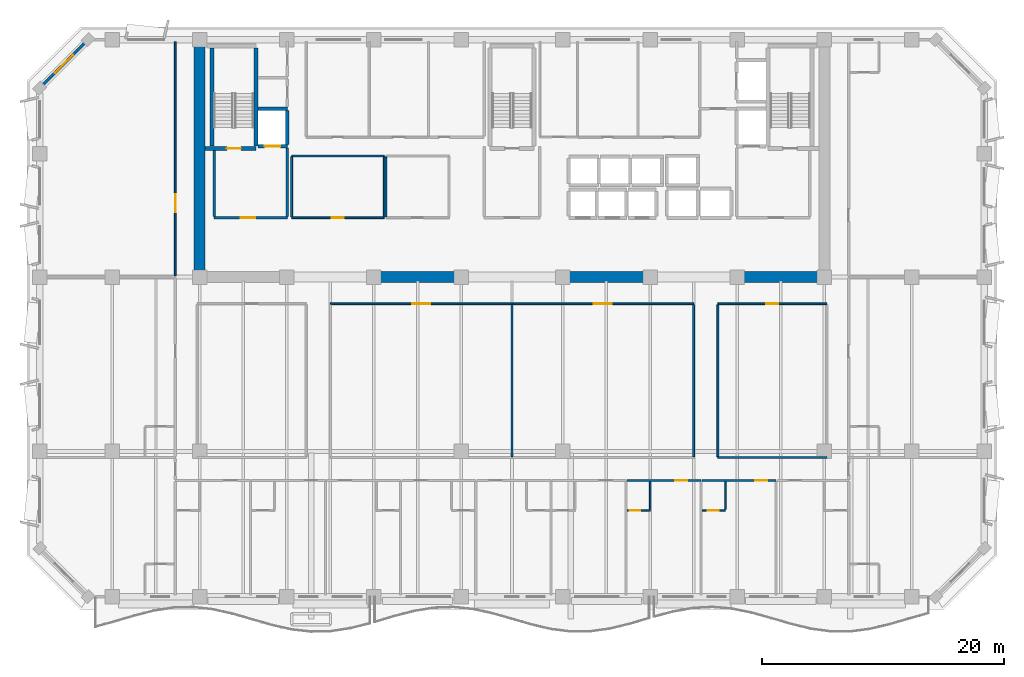
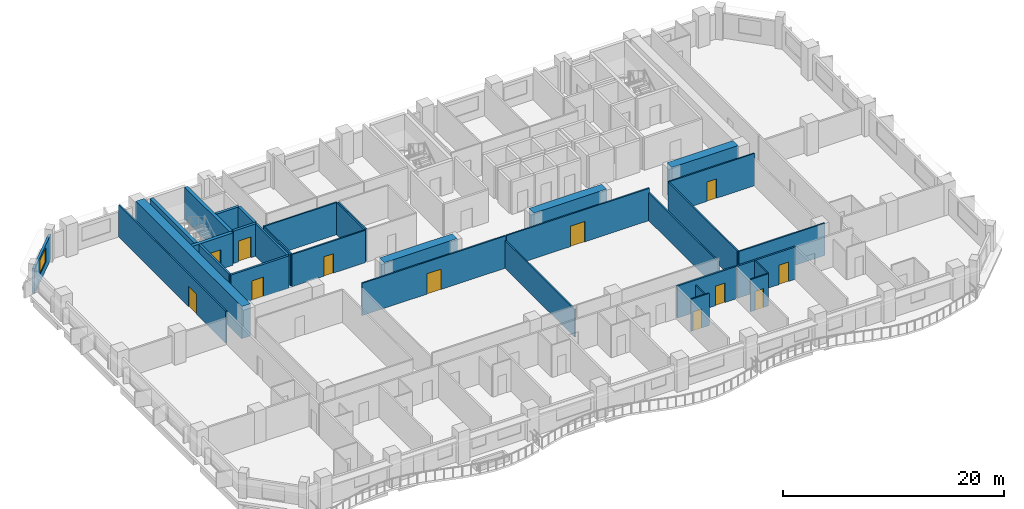
# One storey, part 6 of 15: 33 walls, 12 doors, 1 window, 13 openings.
"""IFC4 building model written with IfcOpenShell, lengths in metres."""

from ifc_helpers import new_model, si_unit, direction, frame, frame_2d, origin, place, context, subcontext, project, spatial, rectangle, extrude, material, layer, layer_set, type_object, element, fill, save


model = new_model("IFC4")

# Units and contexts
model_context = context("Model", 3, precision=1e-05, world=origin(), true_north=direction((0.0, 1.0)))
body_context = subcontext(model_context, "Body", "Model", "MODEL_VIEW")
ifc_project = project(units=[si_unit("LENGTHUNIT", "METRE"), si_unit("AREAUNIT", "SQUARE_METRE"), si_unit("VOLUMEUNIT", "CUBIC_METRE"), si_unit("PLANEANGLEUNIT", "RADIAN"), si_unit("MASSUNIT", "GRAM", prefix="KILO")], contexts=[model_context])

# Site, building, storey
site_placement = place(None, origin())
site = spatial("IfcSite", under=ifc_project, at=site_placement, CompositionType="ELEMENT")
building_placement = place(site_placement, origin())
building = spatial("IfcBuilding", under=site, at=building_placement, Name="Kaelvorn Grand Hotel", CompositionType="ELEMENT")
storey_placement = place(building_placement, frame((0.0, 0.0, 154.35009765625)))
storey = spatial("IfcBuildingStorey", under=building, at=storey_placement, Name="L37", CompositionType="ELEMENT", Elevation=154.35009765625)

# Walls
ifc_material_1 = material(Name="Concrete C60/75", Category="concrete")
ifc_layer_1 = layer(ifc_material_1, 0.89990234375)
ifc_layer_set_1 = layer_set([ifc_layer_1], Name="Concrete C60/75")
wall_type_1 = type_object("IfcWallType", Name="WL-CORE-900-C60", PredefinedType="SHEAR", material=ifc_layer_set_1)
wall_1_placement = place(storey_placement, frame((16.199951171875, 29.39990234375, 0.0), z_axis=(0.0, 0.0, 1.0), x_axis=(0.0, 1.0, 0.0)))
element("IfcWall", 1, at=wall_1_placement, inside=storey, type_object=wall_type_1, Name="L37 Rear-Core West Shear Wall", PredefinedType="SHEAR", context=body_context, shape_type="SweptSolid", body=[
    extrude(rectangle(XDim=19.2001953125, YDim=0.89990234375, at=frame_2d((9.60009765625, 0.0))), origin(), (0.0, 0.0, 1.0), 3.559814453125),
])
for number, where, z_axis, x_axis, name in (
    (2, (30.39990234375, 29.39990234375, 0.0), (0.0, 0.0, 1.0), (1.0, 0.0, 0.0), "L37 Rear-Core Coupled Shear Pier S2"),
    (3, (46.0, 29.39990234375, 0.0), (0.0, 0.0, 1.0), (1.0, 0.0, 0.0), "L37 Rear-Core Coupled Shear Pier S3"),
):
    element("IfcWall", number, at=place(storey_placement, frame(where, z_axis=z_axis, x_axis=x_axis)), inside=storey, type_object=wall_type_1, Name=name, PredefinedType="SHEAR", context=body_context, shape_type="SweptSolid", body=[
        extrude(rectangle(XDim=7.60009765625, YDim=0.89990234375, at=frame_2d((3.800048828125, 0.0))), origin(), (0.0, 0.0, 1.0), 3.559814453125),
    ])
wall_2_placement = place(storey_placement, frame((60.39990234375, 29.39990234375, 0.0), z_axis=(0.0, 0.0, 1.0), x_axis=(1.0, 0.0, 0.0)))
element("IfcWall", 4, at=wall_2_placement, inside=storey, type_object=wall_type_1, Name="L37 Rear-Core Coupled Shear Pier S4", PredefinedType="SHEAR", context=body_context, shape_type="SweptSolid", body=[
    extrude(rectangle(XDim=6.945068359375, YDim=0.89990234375, at=frame_2d((3.47265625, 0.0))), origin(), (0.0, 0.0, 1.0), 3.559814453125),
])

# Wall, opening, window
ifc_material_2 = material(Name="Concrete C40/50", Category="concrete")
ifc_layer_2 = layer(ifc_material_2, 0.239990234375)
ifc_layer_set_2 = layer_set([ifc_layer_2], Name="Concrete C40/50")
wall_type_2 = type_object("IfcWallType", Name="WL-EXT-240-C40", PredefinedType="SOLIDWALL", material=ifc_layer_set_2)
wall_3_placement = place(storey_placement, frame((7.0, 49.0, 0.0), z_axis=(0.0, 0.0, 1.0), x_axis=(-0.707106781187, -0.707106781187, 0.0)))
wall_3 = element("IfcWall", 5, at=wall_3_placement, inside=storey, type_object=wall_type_2, Name="L37 Exterior Architectural Concrete Wall 06", PredefinedType="SOLIDWALL", context=body_context, shape_type="SweptSolid", body=[
    extrude(rectangle(XDim=5.65673828125, YDim=0.239990234375, at=frame_2d((2.828369140625, 0.0))), origin(), (0.0, 0.0, 1.0), 2.760009765625),
])
opening_1_placement = place(wall_3_placement, frame((1.7783203125, 0.0, 0.85009765625)))
opening_1 = element("IfcOpeningElement", 6, at=opening_1_placement, cuts=wall_3, Name="Opening W7", PredefinedType="OPENING", context=body_context, shape_type="SweptSolid", body=[
    extrude(rectangle(XDim=2.10009765625, YDim=1.60009765625, at=frame_2d((1.050048828125, 0.800048828125))), frame((0.0, 0.1298828125, 0.0), z_axis=(0.0, -1.0, 0.0), x_axis=(1.0, 0.0, 0.0)), (0.0, 0.0, 1.0), 0.260009765625),
])
ifc_material_3 = material(Name="Laminated Low-E Glass", Category="glass")
window_type = type_object("IfcWindowType", Name="WIN-CHM-2100x1600", PartitioningType="SINGLE_PANEL", PredefinedType="WINDOW", material=ifc_material_3)
window_placement = place(opening_1_placement, origin())
window = element("IfcWindow", 7, at=window_placement, inside=storey, type_object=window_type, Name="L37 Chamfered 45-Degree Corner Window NW", OverallHeight=1.60009765625, OverallWidth=2.10009765625, PartitioningType="SINGLE_PANEL", PredefinedType="WINDOW", context=body_context, shape_type="SweptSolid", body=[
    extrude(rectangle(XDim=2.10009765625, YDim=1.60009765625, at=frame_2d((1.050048828125, 0.800048828125))), frame((0.0, 0.030029296875, 0.0), z_axis=(0.0, -1.0, 0.0), x_axis=(1.0, 0.0, 0.0)), (0.0, 0.0, 1.0), 0.06005859375),
])
fill(opening_1, window)

# Wall, opening, door
ifc_material_4 = material(Name="Moisture-Resistant Tile & Stud Board")
ifc_layer_3 = layer(ifc_material_4, 0.125)
ifc_layer_set_3 = layer_set([ifc_layer_3], Name="Moisture-Resistant Tile & Stud Board")
wall_type_3 = type_object("IfcWallType", Name="WL-PART-125-WET", PredefinedType="PARTITIONING", material=ifc_layer_set_3)
wall_4_placement = place(storey_placement, frame((51.504150390625, 10.139892578125, 0.0), z_axis=(0.0, 0.0, 1.0), x_axis=(1.0, 0.0, 0.0)))
wall_4 = element("IfcWall", 8, at=wall_4_placement, inside=storey, type_object=wall_type_3, Name="L37 En-suite Bathroom L37-07 S Partition", PredefinedType="PARTITIONING", context=body_context, shape_type="SweptSolid", body=[
    extrude(rectangle(XDim=1.905029296875, YDim=0.125, at=frame_2d((0.95263671875, 0.0))), origin(), (0.0, 0.0, 1.0), 3.559814453125),
])
opening_2_placement = place(wall_4_placement, frame((0.205078125, 0.0, 0.0)))
opening_2 = element("IfcOpeningElement", 9, at=opening_2_placement, cuts=wall_4, Name="Opening DI4", PredefinedType="OPENING", context=body_context, shape_type="SweptSolid", body=[
    extrude(rectangle(XDim=0.89990234375, YDim=2.10009765625, at=frame_2d((0.449951171875, 1.050048828125))), frame((0.0, 0.072509765625, 0.0), z_axis=(0.0, -1.0, 0.0), x_axis=(1.0, 0.0, 0.0)), (0.0, 0.0, 1.0), 0.14501953125),
])
ifc_material_5 = material(Name="Timber Veneer Leaf", Category="wood")
door_type_1 = type_object("IfcDoorType", Name="DR-INT-BATH-900x2100", OperationType="NOTDEFINED", PredefinedType="DOOR", material=ifc_material_5)
door_1_placement = place(opening_2_placement, origin())
door_1 = element("IfcDoor", 10, at=door_1_placement, inside=storey, type_object=door_type_1, Name="L37 En-suite Bathroom L37-07 Door", OperationType="SINGLE_SWING_RIGHT", OverallHeight=2.10009765625, OverallWidth=0.89990234375, PredefinedType="DOOR", context=body_context, shape_type="SweptSolid", body=[
    extrude(rectangle(XDim=0.89990234375, YDim=2.10009765625, at=frame_2d((0.449951171875, 1.050048828125))), frame((0.0, 0.02490234375, 0.0), z_axis=(0.0, -1.0, 0.0), x_axis=(1.0, 0.0, 0.0)), (0.0, 0.0, 1.0), 0.050048828125),
])
fill(opening_2, door_1)

# Wall
wall_5_placement = place(storey_placement, frame((53.4091796875, 10.20751953125, 0.0), z_axis=(0.0, 0.0, 1.0), x_axis=(0.0, 1.0, 0.0)))
element("IfcWall", 11, at=wall_5_placement, inside=storey, type_object=wall_type_3, Name="L37 En-suite Bathroom L37-07 E Partition", PredefinedType="PARTITIONING", context=body_context, shape_type="SweptSolid", body=[
    extrude(rectangle(XDim=2.29736328125, YDim=0.125, at=frame_2d((1.148681640625, 0.0))), origin(), (0.0, 0.0, 1.0), 3.010009765625),
])

# Wall, opening, door
wall_6_placement = place(storey_placement, frame((57.705810546875, 10.139892578125, 0.0), z_axis=(0.0, 0.0, 1.0), x_axis=(1.0, 0.0, 0.0)))
wall_6 = element("IfcWall", 12, at=wall_6_placement, inside=storey, type_object=wall_type_3, Name="L37 En-suite Bathroom L37-08 S Partition", PredefinedType="PARTITIONING", context=body_context, shape_type="SweptSolid", body=[
    extrude(rectangle(XDim=1.905029296875, YDim=0.125, at=frame_2d((0.95263671875, 0.0))), origin(), (0.0, 0.0, 1.0), 3.559814453125),
])
opening_3_placement = place(wall_6_placement, frame((0.455078125, 0.0, 0.0)))
opening_3 = element("IfcOpeningElement", 13, at=opening_3_placement, cuts=wall_6, Name="Opening DI4", PredefinedType="OPENING", context=body_context, shape_type="SweptSolid", body=[
    extrude(rectangle(XDim=0.89990234375, YDim=2.10009765625, at=frame_2d((0.449951171875, 1.050048828125))), frame((0.0, 0.072509765625, 0.0), z_axis=(0.0, -1.0, 0.0), x_axis=(1.0, 0.0, 0.0)), (0.0, 0.0, 1.0), 0.14501953125),
])
door_2_placement = place(opening_3_placement, origin())
door_2 = element("IfcDoor", 14, at=door_2_placement, inside=storey, type_object=door_type_1, Name="L37 En-suite Bathroom L37-08 Door", OperationType="SINGLE_SWING_RIGHT", OverallHeight=2.10009765625, OverallWidth=0.89990234375, PredefinedType="DOOR", context=body_context, shape_type="SweptSolid", body=[
    extrude(rectangle(XDim=0.89990234375, YDim=2.10009765625, at=frame_2d((0.449951171875, 1.050048828125))), frame((0.0, 0.02490234375, 0.0), z_axis=(0.0, -1.0, 0.0), x_axis=(1.0, 0.0, 0.0)), (0.0, 0.0, 1.0), 0.050048828125),
])
fill(opening_3, door_2)

# Walls
wall_7_placement = place(storey_placement, frame((59.61083984375, 10.20751953125, 0.0), z_axis=(0.0, 0.0, 1.0), x_axis=(0.0, 1.0, 0.0)))
element("IfcWall", 15, at=wall_7_placement, inside=storey, type_object=wall_type_3, Name="L37 En-suite Bathroom L37-08 E Partition", PredefinedType="PARTITIONING", context=body_context, shape_type="SweptSolid", body=[
    extrude(rectangle(XDim=2.29736328125, YDim=0.125, at=frame_2d((1.148681640625, 0.0))), origin(), (0.0, 0.0, 1.0), 3.559814453125),
])
ifc_material_6 = material(Name="Acoustic Gypsum & Stud Partition")
ifc_layer_4 = layer(ifc_material_6, 0.14990234375)
ifc_layer_set_4 = layer_set([ifc_layer_4], Name="Acoustic Gypsum & Stud Partition")
wall_type_4 = type_object("IfcWallType", Name="WL-PART-150-EI60", PredefinedType="PARTITIONING", material=ifc_layer_set_4)
wall_8_placement = place(storey_placement, frame((31.60009765625, 34.3798828125, 0.0), z_axis=(0.0, 0.0, 1.0), x_axis=(0.0, 1.0, 0.0)))
element("IfcWall", 16, at=wall_8_placement, inside=storey, type_object=wall_type_4, Name="L37 Core Telecoms & BMS Server Room W Partition", PredefinedType="PARTITIONING", context=body_context, shape_type="SweptSolid", body=[
    extrude(rectangle(XDim=4.940185546875, YDim=0.14990234375, at=frame_2d((2.47021484375, 0.0))), origin(), (0.0, 0.0, 1.0), 3.559814453125),
])

# Wall, opening, door
wall_9_placement = place(storey_placement, frame((23.800048828125, 34.300048828125, 0.0), z_axis=(0.0, 0.0, 1.0), x_axis=(1.0, 0.0, 0.0)))
wall_9 = element("IfcWall", 17, at=wall_9_placement, inside=storey, type_object=wall_type_4, Name="L37 Executive Club Sitting Lounge S Partition", PredefinedType="PARTITIONING", context=body_context, shape_type="SweptSolid", body=[
    extrude(rectangle(XDim=7.64990234375, YDim=0.14990234375, at=frame_2d((3.824951171875, 0.0))), origin(), (0.0, 0.0, 1.0), 3.559814453125),
])
opening_4_placement = place(wall_9_placement, frame((3.300048828125, 0.0, 0.0)))
opening_4 = element("IfcOpeningElement", 18, at=opening_4_placement, cuts=wall_9, Name="Opening DI3", PredefinedType="OPENING", context=body_context, shape_type="SweptSolid", body=[
    extrude(rectangle(XDim=1.0, YDim=2.14990234375, at=frame_2d((0.5, 1.074951171875))), frame((0.0, 0.0849609375, 0.0), z_axis=(0.0, -1.0, 0.0), x_axis=(1.0, 0.0, 0.0)), (0.0, 0.0, 1.0), 0.169921875),
])
ifc_material_7 = material(Name="Timber Veneer Fire Leaf", Category="wood")
door_type_2 = type_object("IfcDoorType", Name="DR-INT-GUEST-1000x2150", OperationType="NOTDEFINED", PredefinedType="DOOR", material=ifc_material_7)
door_3_placement = place(opening_4_placement, origin())
door_3 = element("IfcDoor", 19, at=door_3_placement, inside=storey, type_object=door_type_2, Name="L37 Executive Club Sitting Lounge Door", OperationType="SINGLE_SWING_RIGHT", OverallHeight=2.14990234375, OverallWidth=1.0, PredefinedType="DOOR", context=body_context, shape_type="SweptSolid", body=[
    extrude(rectangle(XDim=1.0, YDim=2.14990234375, at=frame_2d((0.5, 1.074951171875))), frame((0.0, 0.02490234375, 0.0), z_axis=(0.0, -1.0, 0.0), x_axis=(1.0, 0.0, 0.0)), (0.0, 0.0, 1.0), 0.050048828125),
])
fill(opening_4, door_3)

# Walls
wall_10_placement = place(storey_placement, frame((23.800048828125, 39.39990234375, 0.0), z_axis=(0.0, 0.0, 1.0), x_axis=(1.0, 0.0, 0.0)))
element("IfcWall", 20, at=wall_10_placement, inside=storey, type_object=wall_type_4, Name="L37 Executive Club Sitting Lounge N Partition", PredefinedType="PARTITIONING", context=body_context, shape_type="SweptSolid", body=[
    extrude(rectangle(XDim=7.64990234375, YDim=0.14990234375, at=frame_2d((3.824951171875, 0.0))), origin(), (0.0, 0.0, 1.0), 3.559814453125),
])
for number, where, z_axis, x_axis, name in (
    (21, (23.800048828125, 34.3798828125, 0.0), (0.0, 0.0, 1.0), (0.0, 1.0, 0.0), "L37 Executive Club Sitting Lounge W Partition"),
    (22, (31.449951171875, 34.3798828125, 0.0), (0.0, 0.0, 1.0), (0.0, 1.0, 0.0), "L37 Executive Club Sitting Lounge E Partition"),
):
    element("IfcWall", number, at=place(storey_placement, frame(where, z_axis=z_axis, x_axis=x_axis)), inside=storey, type_object=wall_type_4, Name=name, PredefinedType="PARTITIONING", context=body_context, shape_type="SweptSolid", body=[
        extrude(rectangle(XDim=4.940185546875, YDim=0.14990234375, at=frame_2d((2.47021484375, 0.0))), origin(), (0.0, 0.0, 1.0), 3.559814453125),
    ])

# Wall, opening, door
wall_11_placement = place(storey_placement, frame((27.0, 27.199951171875, 0.0), z_axis=(0.0, 0.0, 1.0), x_axis=(1.0, 0.0, 0.0)))
wall_11 = element("IfcWall", 23, at=wall_11_placement, inside=storey, type_object=wall_type_4, Name="L37 Chef Finishing Kitchen N Partition", PredefinedType="PARTITIONING", context=body_context, shape_type="SweptSolid", body=[
    extrude(rectangle(XDim=15.0, YDim=0.14990234375, at=frame_2d((7.5, 0.0))), origin(), (0.0, 0.0, 1.0), 3.559814453125),
])
opening_5_placement = place(wall_11_placement, frame((6.75, 0.0, 0.0)))
opening_5 = element("IfcOpeningElement", 24, at=opening_5_placement, cuts=wall_11, Name="Opening DI5", PredefinedType="OPENING", context=body_context, shape_type="SweptSolid", body=[
    extrude(rectangle(XDim=1.5, YDim=2.25, at=frame_2d((0.75, 1.125))), frame((0.0, 0.0849609375, 0.0), z_axis=(0.0, -1.0, 0.0), x_axis=(1.0, 0.0, 0.0)), (0.0, 0.0, 1.0), 0.169921875),
])
door_type_3 = type_object("IfcDoorType", Name="DR-INT-SALON-1500x2250", OperationType="DOUBLE_DOOR_SINGLE_SWING", PredefinedType="DOOR", material=ifc_material_7)
door_4_placement = place(opening_5_placement, origin())
door_4 = element("IfcDoor", 25, at=door_4_placement, inside=storey, type_object=door_type_3, Name="L37 Chef Finishing Kitchen Door", OperationType="DOUBLE_DOOR_SINGLE_SWING", OverallHeight=2.25, OverallWidth=1.5, PredefinedType="DOOR", context=body_context, shape_type="SweptSolid", body=[
    extrude(rectangle(XDim=1.5, YDim=2.25, at=frame_2d((0.75, 1.125))), frame((0.0, 0.02490234375, 0.0), z_axis=(0.0, -1.0, 0.0), x_axis=(1.0, 0.0, 0.0)), (0.0, 0.0, 1.0), 0.050048828125),
])
fill(opening_5, door_4)

# Wall
wall_12_placement = place(storey_placement, frame((42.0, 14.580078125, 0.0), z_axis=(0.0, 0.0, 1.0), x_axis=(0.0, 1.0, 0.0)))
element("IfcWall", 26, at=wall_12_placement, inside=storey, type_object=wall_type_4, Name="L37 Chef Finishing Kitchen E Partition", PredefinedType="PARTITIONING", context=body_context, shape_type="SweptSolid", body=[
    extrude(rectangle(XDim=12.5400390625, YDim=0.14990234375, at=frame_2d((6.27001953125, 0.0))), origin(), (0.0, 0.0, 1.0), 3.059814453125),
])

# Wall, opening, door
wall_13_placement = place(storey_placement, frame((42.080078125, 27.199951171875, 0.0), z_axis=(0.0, 0.0, 1.0), x_axis=(1.0, 0.0, 0.0)))
wall_13 = element("IfcWall", 27, at=wall_13_placement, inside=storey, type_object=wall_type_4, Name="L37 Conference Seminar Room N Partition", PredefinedType="PARTITIONING", context=body_context, shape_type="SweptSolid", body=[
    extrude(rectangle(XDim=14.919921875, YDim=0.14990234375, at=frame_2d((7.4599609375, 0.0))), origin(), (0.0, 0.0, 1.0), 3.559814453125),
])
opening_6_placement = place(wall_13_placement, frame((6.669921875, 0.0, 0.0)))
opening_6 = element("IfcOpeningElement", 28, at=opening_6_placement, cuts=wall_13, Name="Opening DI5", PredefinedType="OPENING", context=body_context, shape_type="SweptSolid", body=[
    extrude(rectangle(XDim=1.5, YDim=2.25, at=frame_2d((0.75, 1.125))), frame((0.0, 0.0849609375, 0.0), z_axis=(0.0, -1.0, 0.0), x_axis=(1.0, 0.0, 0.0)), (0.0, 0.0, 1.0), 0.169921875),
])
door_5_placement = place(opening_6_placement, origin())
door_5 = element("IfcDoor", 29, at=door_5_placement, inside=storey, type_object=door_type_3, Name="L37 Conference Seminar Room Door", OperationType="DOUBLE_DOOR_SINGLE_SWING", OverallHeight=2.25, OverallWidth=1.5, PredefinedType="DOOR", context=body_context, shape_type="SweptSolid", body=[
    extrude(rectangle(XDim=1.5, YDim=2.25, at=frame_2d((0.75, 1.125))), frame((0.0, 0.02490234375, 0.0), z_axis=(0.0, -1.0, 0.0), x_axis=(1.0, 0.0, 0.0)), (0.0, 0.0, 1.0), 0.050048828125),
])
fill(opening_6, door_5)

# Walls
wall_14_placement = place(storey_placement, frame((57.0, 14.580078125, 0.0), z_axis=(0.0, 0.0, 1.0), x_axis=(0.0, 1.0, 0.0)))
element("IfcWall", 30, at=wall_14_placement, inside=storey, type_object=wall_type_4, Name="L37 Conference Seminar Room E Partition", PredefinedType="PARTITIONING", context=body_context, shape_type="SweptSolid", body=[
    extrude(rectangle(XDim=12.5400390625, YDim=0.14990234375, at=frame_2d((6.27001953125, 0.0))), origin(), (0.0, 0.0, 1.0), 3.059814453125),
])
wall_15_placement = place(storey_placement, frame((59.0, 14.5, 0.0), z_axis=(0.0, 0.0, 1.0), x_axis=(1.0, 0.0, 0.0)))
element("IfcWall", 31, at=wall_15_placement, inside=storey, type_object=wall_type_4, Name="L37 Concierge Admin Office S Partition", PredefinedType="PARTITIONING", context=body_context, shape_type="SweptSolid", body=[
    extrude(rectangle(XDim=9.0, YDim=0.14990234375, at=frame_2d((4.5, 0.0))), origin(), (0.0, 0.0, 1.0), 3.559814453125),
])

# Wall, opening, door
wall_16_placement = place(storey_placement, frame((59.0, 27.199951171875, 0.0), z_axis=(0.0, 0.0, 1.0), x_axis=(1.0, 0.0, 0.0)))
wall_16 = element("IfcWall", 32, at=wall_16_placement, inside=storey, type_object=wall_type_4, Name="L37 Concierge Admin Office N Partition", PredefinedType="PARTITIONING", context=body_context, shape_type="SweptSolid", body=[
    extrude(rectangle(XDim=9.0, YDim=0.14990234375, at=frame_2d((4.5, 0.0))), origin(), (0.0, 0.0, 1.0), 3.559814453125),
])
opening_7_placement = place(wall_16_placement, frame((4.0, 0.0, 0.0)))
opening_7 = element("IfcOpeningElement", 33, at=opening_7_placement, cuts=wall_16, Name="Opening DI3", PredefinedType="OPENING", context=body_context, shape_type="SweptSolid", body=[
    extrude(rectangle(XDim=1.0, YDim=2.14990234375, at=frame_2d((0.5, 1.074951171875))), frame((0.0, 0.0849609375, 0.0), z_axis=(0.0, -1.0, 0.0), x_axis=(1.0, 0.0, 0.0)), (0.0, 0.0, 1.0), 0.169921875),
])
door_6_placement = place(opening_7_placement, origin())
door_6 = element("IfcDoor", 34, at=door_6_placement, inside=storey, type_object=door_type_2, Name="L37 Concierge Admin Office Door", OperationType="SINGLE_SWING_RIGHT", OverallHeight=2.14990234375, OverallWidth=1.0, PredefinedType="DOOR", context=body_context, shape_type="SweptSolid", body=[
    extrude(rectangle(XDim=1.0, YDim=2.14990234375, at=frame_2d((0.5, 1.074951171875))), frame((0.0, 0.02490234375, 0.0), z_axis=(0.0, -1.0, 0.0), x_axis=(1.0, 0.0, 0.0)), (0.0, 0.0, 1.0), 0.050048828125),
])
fill(opening_7, door_6)

# Wall
wall_17_placement = place(storey_placement, frame((59.0, 14.580078125, 0.0), z_axis=(0.0, 0.0, 1.0), x_axis=(0.0, 1.0, 0.0)))
element("IfcWall", 35, at=wall_17_placement, inside=storey, type_object=wall_type_4, Name="L37 Concierge Admin Office W Partition", PredefinedType="PARTITIONING", context=body_context, shape_type="SweptSolid", body=[
    extrude(rectangle(XDim=12.5400390625, YDim=0.14990234375, at=frame_2d((6.27001953125, 0.0))), origin(), (0.0, 0.0, 1.0), 3.559814453125),
])

# Wall, opening, door
wall_18_placement = place(storey_placement, frame((14.199951171875, 29.4951171875, 0.0), z_axis=(0.0, 0.0, 1.0), x_axis=(0.0, 1.0, 0.0)))
wall_18 = element("IfcWall", 36, at=wall_18_placement, inside=storey, type_object=wall_type_4, Name="L37 North-West Conference Seminar Room E Partition", PredefinedType="PARTITIONING", context=body_context, shape_type="SweptSolid", body=[
    extrude(rectangle(XDim=19.35498046875, YDim=0.14990234375, at=frame_2d((9.677490234375, 0.0))), origin(), (0.0, 0.0, 1.0), 3.559814453125),
])
opening_8_placement = place(wall_18_placement, frame((5.2548828125, 0.0, 0.0)))
opening_8 = element("IfcOpeningElement", 37, at=opening_8_placement, cuts=wall_18, Name="Opening DI5", PredefinedType="OPENING", context=body_context, shape_type="SweptSolid", body=[
    extrude(rectangle(XDim=1.5, YDim=2.25, at=frame_2d((0.75, 1.125))), frame((0.0, 0.0849609375, 0.0), z_axis=(0.0, -1.0, 0.0), x_axis=(1.0, 0.0, 0.0)), (0.0, 0.0, 1.0), 0.169921875),
])
door_7_placement = place(opening_8_placement, origin())
door_7 = element("IfcDoor", 38, at=door_7_placement, inside=storey, type_object=door_type_3, Name="L37 North-West Conference Seminar Room Door", OperationType="DOUBLE_DOOR_SINGLE_SWING", OverallHeight=2.25, OverallWidth=1.5, PredefinedType="DOOR", context=body_context, shape_type="SweptSolid", body=[
    extrude(rectangle(XDim=1.5, YDim=2.25, at=frame_2d((0.75, 1.125))), frame((0.0, 0.02490234375, 0.0), z_axis=(0.0, -1.0, 0.0), x_axis=(1.0, 0.0, 0.0)), (0.0, 0.0, 1.0), 0.050048828125),
])
fill(opening_8, door_7)

ifc_layer_5 = layer(ifc_material_6, 0.179931640625)
ifc_layer_set_5 = layer_set([ifc_layer_5], Name="Acoustic Gypsum & Stud Partition")
wall_type_5 = type_object("IfcWallType", Name="WL-PART-180-EI60", PredefinedType="PARTITIONING", material=ifc_layer_set_5)
wall_19_placement = place(storey_placement, frame((51.504150390625, 12.60009765625, 0.0), z_axis=(0.0, 0.0, 1.0), x_axis=(1.0, 0.0, 0.0)))
wall_19 = element("IfcWall", 39, at=wall_19_placement, inside=storey, type_object=wall_type_5, Name="L37 Superior King Guest Room L37-07 N Partition", PredefinedType="PARTITIONING", context=body_context, shape_type="SweptSolid", body=[
    extrude(rectangle(XDim=6.106689453125, YDim=0.179931640625, at=frame_2d((3.05322265625, 0.0))), origin(), (0.0, 0.0, 1.0), 3.559814453125),
])
opening_9_placement = place(wall_19_placement, frame((3.955810546875, 0.0, 0.0)))
opening_9 = element("IfcOpeningElement", 40, at=opening_9_placement, cuts=wall_19, Name="Opening DI3", PredefinedType="OPENING", context=body_context, shape_type="SweptSolid", body=[
    extrude(rectangle(XDim=1.0, YDim=2.14990234375, at=frame_2d((0.5, 1.074951171875))), frame((0.0, 0.10009765625, 0.0), z_axis=(0.0, -1.0, 0.0), x_axis=(1.0, 0.0, 0.0)), (0.0, 0.0, 1.0), 0.199951171875),
])
door_8_placement = place(opening_9_placement, origin())
door_8 = element("IfcDoor", 41, at=door_8_placement, inside=storey, type_object=door_type_2, Name="L37 Superior King Guest Room L37-07 Door", OperationType="SINGLE_SWING_LEFT", OverallHeight=2.14990234375, OverallWidth=1.0, PredefinedType="DOOR", context=body_context, shape_type="SweptSolid", body=[
    extrude(rectangle(XDim=1.0, YDim=2.14990234375, at=frame_2d((0.5, 1.074951171875))), frame((0.0, 0.02490234375, 0.0), z_axis=(0.0, -1.0, 0.0), x_axis=(1.0, 0.0, 0.0)), (0.0, 0.0, 1.0), 0.050048828125),
])
fill(opening_9, door_8)

wall_20_placement = place(storey_placement, frame((57.705810546875, 12.60009765625, 0.0), z_axis=(0.0, 0.0, 1.0), x_axis=(1.0, 0.0, 0.0)))
wall_20 = element("IfcWall", 42, at=wall_20_placement, inside=storey, type_object=wall_type_5, Name="L37 Superior King Guest Room L37-08 N Partition", PredefinedType="PARTITIONING", context=body_context, shape_type="SweptSolid", body=[
    extrude(rectangle(XDim=6.1064453125, YDim=0.179931640625, at=frame_2d((3.05322265625, 0.0))), origin(), (0.0, 0.0, 1.0), 3.559814453125),
])
opening_10_placement = place(wall_20_placement, frame((4.390380859375, 0.0, 0.0)))
opening_10 = element("IfcOpeningElement", 43, at=opening_10_placement, cuts=wall_20, Name="Opening DI3", PredefinedType="OPENING", context=body_context, shape_type="SweptSolid", body=[
    extrude(rectangle(XDim=1.0, YDim=2.14990234375, at=frame_2d((0.5, 1.074951171875))), frame((0.0, 0.10009765625, 0.0), z_axis=(0.0, -1.0, 0.0), x_axis=(1.0, 0.0, 0.0)), (0.0, 0.0, 1.0), 0.199951171875),
])
door_9_placement = place(opening_10_placement, origin())
door_9 = element("IfcDoor", 44, at=door_9_placement, inside=storey, type_object=door_type_2, Name="L37 Superior King Guest Room L37-08 Door", OperationType="SINGLE_SWING_LEFT", OverallHeight=2.14990234375, OverallWidth=1.0, PredefinedType="DOOR", context=body_context, shape_type="SweptSolid", body=[
    extrude(rectangle(XDim=1.0, YDim=2.14990234375, at=frame_2d((0.5, 1.074951171875))), frame((0.0, 0.02490234375, 0.0), z_axis=(0.0, -1.0, 0.0), x_axis=(1.0, 0.0, 0.0)), (0.0, 0.0, 1.0), 0.050048828125),
])
fill(opening_10, door_9)

ifc_layer_6 = layer(ifc_material_2, 0.219970703125)
ifc_layer_set_6 = layer_set([ifc_layer_6], Name="Concrete C40/50")
wall_type_6 = type_object("IfcWallType", Name="WL-PART-220-EI120", PredefinedType="PARTITIONING", material=ifc_layer_set_6)
wall_21_placement = place(storey_placement, frame((17.39990234375, 34.300048828125, 0.0), z_axis=(0.0, 0.0, 1.0), x_axis=(1.0, 0.0, 0.0)))
wall_21 = element("IfcWall", 45, at=wall_21_placement, inside=storey, type_object=wall_type_6, Name="L37 Firefighting Lift Lobby 1 S Partition", PredefinedType="PARTITIONING", context=body_context, shape_type="SweptSolid", body=[
    extrude(rectangle(XDim=6.050048828125, YDim=0.219970703125, at=frame_2d((3.02490234375, 0.0))), origin(), (0.0, 0.0, 1.0), 3.559814453125),
])
opening_11_placement = place(wall_21_placement, frame((2.199951171875, 0.0, 0.0)))
opening_11 = element("IfcOpeningElement", 46, at=opening_11_placement, cuts=wall_21, Name="Opening DI2", PredefinedType="OPENING", context=body_context, shape_type="SweptSolid", body=[
    extrude(rectangle(XDim=1.199951171875, YDim=2.14990234375, at=frame_2d((0.60009765625, 1.074951171875))), frame((0.0, 0.1201171875, 0.0), z_axis=(0.0, -1.0, 0.0), x_axis=(1.0, 0.0, 0.0)), (0.0, 0.0, 1.0), 0.239990234375),
])
door_type_4 = type_object("IfcDoorType", Name="DR-INT-FFLOB-1200x2150", OperationType="NOTDEFINED", PredefinedType="DOOR", material=ifc_material_7)
door_10_placement = place(opening_11_placement, origin())
door_10 = element("IfcDoor", 47, at=door_10_placement, inside=storey, type_object=door_type_4, Name="L37 Firefighting Lift Lobby 1 Door", OperationType="SINGLE_SWING_LEFT", OverallHeight=2.14990234375, OverallWidth=1.199951171875, PredefinedType="DOOR", context=body_context, shape_type="SweptSolid", body=[
    extrude(rectangle(XDim=1.199951171875, YDim=2.14990234375, at=frame_2d((0.60009765625, 1.074951171875))), frame((0.0, 0.02490234375, 0.0), z_axis=(0.0, -1.0, 0.0), x_axis=(1.0, 0.0, 0.0)), (0.0, 0.0, 1.0), 0.050048828125),
])
fill(opening_11, door_10)

# Walls
wall_22_placement = place(storey_placement, frame((17.39990234375, 34.4150390625, 0.0), z_axis=(0.0, 0.0, 1.0), x_axis=(0.0, 1.0, 0.0)))
element("IfcWall", 48, at=wall_22_placement, inside=storey, type_object=wall_type_6, Name="L37 Firefighting Lift Lobby 1 W Partition", PredefinedType="PARTITIONING", context=body_context, shape_type="SweptSolid", body=[
    extrude(rectangle(XDim=5.429931640625, YDim=0.219970703125, at=frame_2d((2.71484375, 0.0))), origin(), (0.0, 0.0, 1.0), 3.559814453125),
])
wall_23_placement = place(storey_placement, frame((23.449951171875, 34.4150390625, 0.0), z_axis=(0.0, 0.0, 1.0), x_axis=(0.0, 1.0, 0.0)))
element("IfcWall", 49, at=wall_23_placement, inside=storey, type_object=wall_type_6, Name="L37 Firefighting Lift Lobby 1 E Partition", PredefinedType="PARTITIONING", context=body_context, shape_type="SweptSolid", body=[
    extrude(rectangle(XDim=5.639892578125, YDim=0.219970703125, at=frame_2d((2.81982421875, 0.0))), origin(), (0.0, 0.0, 1.0), 3.559814453125),
])

# Wall, opening, door
ifc_material_8 = material(Name="Concrete C50/60", Category="concrete")
ifc_layer_7 = layer(ifc_material_8, 0.280029296875)
ifc_layer_set_7 = layer_set([ifc_layer_7], Name="Concrete C50/60")
wall_type_7 = type_object("IfcWallType", Name="WL-SHAFT-280-C50", PredefinedType="SHEAR", material=ifc_layer_set_7)
wall_24_placement = place(storey_placement, frame((21.034912109375, 40.199951171875, 0.0), z_axis=(0.0, 0.0, 1.0), x_axis=(1.0, 0.0, 0.0)))
wall_24 = element("IfcWall", 50, at=wall_24_placement, inside=storey, type_object=wall_type_7, Name="L37 Lift FFL1 Shaft South Wall", PredefinedType="SHEAR", context=body_context, shape_type="SweptSolid", body=[
    extrude(rectangle(XDim=2.4150390625, YDim=0.280029296875, at=frame_2d((1.20751953125, 0.0))), origin(), (0.0, 0.0, 1.0), 3.559814453125),
])
opening_12_placement = place(wall_24_placement, frame((0.5400390625, 0.0, 0.0)))
opening_12 = element("IfcOpeningElement", 51, at=opening_12_placement, cuts=wall_24, Name="Opening LD-FFL1", PredefinedType="OPENING", context=body_context, shape_type="SweptSolid", body=[
    extrude(rectangle(XDim=1.300048828125, YDim=2.300048828125, at=frame_2d((0.64990234375, 1.14990234375))), frame((0.0, 0.14990234375, 0.0), z_axis=(0.0, -1.0, 0.0), x_axis=(1.0, 0.0, 0.0)), (0.0, 0.0, 1.0), 0.300048828125),
])
ifc_material_9 = material(Name="Stainless Steel", Category="steel")
door_type_5 = type_object("IfcDoorType", Name="DR-LIFT-SERV-1300x2300", OperationType="DOUBLE_DOOR_SLIDING", PredefinedType="DOOR", material=ifc_material_9)
door_11_placement = place(opening_12_placement, origin())
door_11 = element("IfcDoor", 52, at=door_11_placement, inside=storey, type_object=door_type_5, Name="L37 Lift FFL1 Sliding Landing Door LD-FFL1", OperationType="DOUBLE_DOOR_SLIDING", OverallHeight=2.300048828125, OverallWidth=1.300048828125, PredefinedType="DOOR", context=body_context, shape_type="SweptSolid", body=[
    extrude(rectangle(XDim=1.300048828125, YDim=2.300048828125, at=frame_2d((0.64990234375, 1.14990234375))), frame((0.0, 0.02490234375, 0.0), z_axis=(0.0, -1.0, 0.0), x_axis=(1.0, 0.0, 0.0)), (0.0, 0.0, 1.0), 0.050048828125),
])
fill(opening_12, door_11)

# Walls
wall_25_placement = place(storey_placement, frame((21.034912109375, 43.300048828125, 0.0), z_axis=(0.0, 0.0, 1.0), x_axis=(1.0, 0.0, 0.0)))
element("IfcWall", 53, at=wall_25_placement, inside=storey, type_object=wall_type_7, Name="L37 Lift FFL1 Shaft North Wall", PredefinedType="SHEAR", context=body_context, shape_type="SweptSolid", body=[
    extrude(rectangle(XDim=2.4150390625, YDim=0.280029296875, at=frame_2d((1.20751953125, 0.0))), origin(), (0.0, 0.0, 1.0), 3.559814453125),
])
wall_26_placement = place(storey_placement, frame((23.449951171875, 40.344970703125, 0.0), z_axis=(0.0, 0.0, 1.0), x_axis=(0.0, 1.0, 0.0)))
element("IfcWall", 54, at=wall_26_placement, inside=storey, type_object=wall_type_7, Name="L37 Lift FFL1 Shaft East Wall", PredefinedType="SHEAR", context=body_context, shape_type="SweptSolid", body=[
    extrude(rectangle(XDim=2.81005859375, YDim=0.280029296875, at=frame_2d((1.405029296875, 0.0))), origin(), (0.0, 0.0, 1.0), 3.559814453125),
])

# Wall, opening, door
ifc_layer_8 = layer(ifc_material_1, 0.35009765625)
ifc_layer_set_8 = layer_set([ifc_layer_8], Name="Concrete C60/75")
wall_type_8 = type_object("IfcWallType", Name="WL-SHAFT-350-C60", PredefinedType="SHEAR", material=ifc_layer_set_8)
wall_27_placement = place(storey_placement, frame((16.655029296875, 40.02490234375, 0.0), z_axis=(0.0, 0.0, 1.0), x_axis=(1.0, 0.0, 0.0)))
wall_27 = element("IfcWall", 55, at=wall_27_placement, inside=storey, type_object=wall_type_8, Name="L37 ST1 Stair Shaft South Wall", PredefinedType="SHEAR", context=body_context, shape_type="SweptSolid", body=[
    extrude(rectangle(XDim=4.199951171875, YDim=0.35009765625, at=frame_2d((2.10009765625, 0.0))), origin(), (0.0, 0.0, 1.0), 3.559814453125),
])
opening_13_placement = place(wall_27_placement, frame((1.81005859375, 0.0, 0.0)))
opening_13 = element("IfcOpeningElement", 56, at=opening_13_placement, cuts=wall_27, Name="Opening DI1", PredefinedType="OPENING", context=body_context, shape_type="SweptSolid", body=[
    extrude(rectangle(XDim=1.14990234375, YDim=2.14990234375, at=frame_2d((0.574951171875, 1.074951171875))), frame((0.0, 0.18505859375, 0.0), z_axis=(0.0, -1.0, 0.0), x_axis=(1.0, 0.0, 0.0)), (0.0, 0.0, 1.0), 0.3701171875),
])
door_type_6 = type_object("IfcDoorType", Name="DR-INT-STAIR-1150x2150", OperationType="NOTDEFINED", PredefinedType="DOOR", material=ifc_material_7)
door_12_placement = place(opening_13_placement, origin())
door_12 = element("IfcDoor", 57, at=door_12_placement, inside=storey, type_object=door_type_6, Name="L37 ST1 Exit Stair Fire Door", OperationType="SINGLE_SWING_RIGHT", OverallHeight=2.14990234375, OverallWidth=1.14990234375, PredefinedType="DOOR", context=body_context, shape_type="SweptSolid", body=[
    extrude(rectangle(XDim=1.14990234375, YDim=2.14990234375, at=frame_2d((0.574951171875, 1.074951171875))), frame((0.0, 0.02490234375, 0.0), z_axis=(0.0, -1.0, 0.0), x_axis=(1.0, 0.0, 0.0)), (0.0, 0.0, 1.0), 0.050048828125),
])
fill(opening_13, door_12)

# Walls
for number, where, z_axis, x_axis, name in (
    (58, (17.22509765625, 40.205078125, 0.0), (0.0, 0.0, 1.0), (0.0, 1.0, 0.0), "L37 ST1 Stair Shaft West Wall"),
    (59, (20.85498046875, 40.205078125, 0.0), (0.0, 0.0, 1.0), (0.0, 1.0, 0.0), "L37 ST1 Stair Shaft East Wall"),
):
    element("IfcWall", number, at=place(storey_placement, frame(where, z_axis=z_axis, x_axis=x_axis)), inside=storey, type_object=wall_type_8, Name=name, PredefinedType="SHEAR", context=body_context, shape_type="SweptSolid", body=[
        extrude(rectangle(XDim=8.08984375, YDim=0.35009765625, at=frame_2d((4.044921875, 0.0))), origin(), (0.0, 0.0, 1.0), 3.559814453125),
    ])

save(model, "model.ifc")
